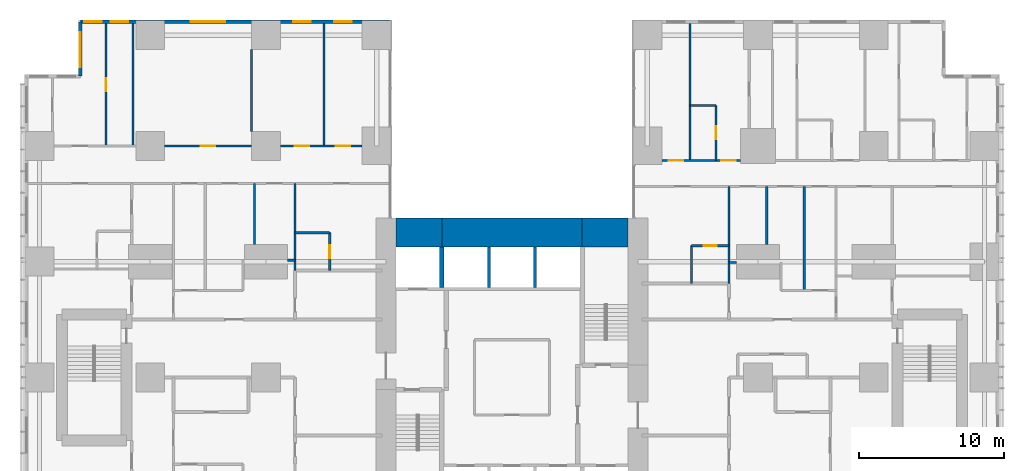
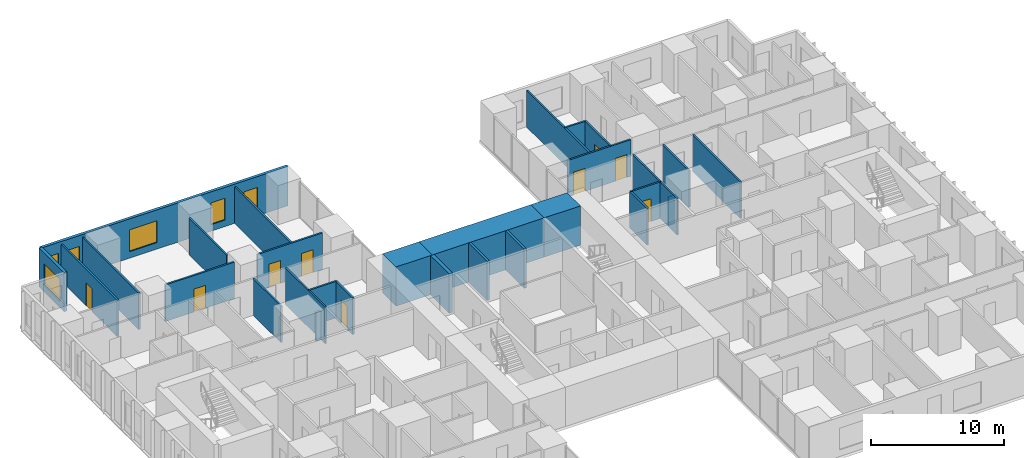
# One storey, part 17 of 20: 29 walls, 9 doors, 6 windows, 15 openings.
"""IFC4 building model written with IfcOpenShell, lengths in metres."""

from ifc_helpers import new_model, si_unit, direction, frame, frame_2d, origin, place, context, subcontext, project, spatial, rectangle, extrude, material, layer, layer_set, type_object, element, fill, save


model = new_model("IFC4")

# Units and contexts
model_context = context("Model", 3, precision=1e-05, world=origin(), true_north=direction((0.0, 1.0)))
body_context = subcontext(model_context, "Body", "Model", "MODEL_VIEW")
ifc_project = project(units=[si_unit("LENGTHUNIT", "METRE"), si_unit("AREAUNIT", "SQUARE_METRE"), si_unit("VOLUMEUNIT", "CUBIC_METRE"), si_unit("PLANEANGLEUNIT", "RADIAN"), si_unit("MASSUNIT", "GRAM", prefix="KILO")], contexts=[model_context])

# Site, building, storey
site_placement = place(None, origin())
site = spatial("IfcSite", under=ifc_project, at=site_placement, CompositionType="ELEMENT")
building_placement = place(site_placement, origin())
building = spatial("IfcBuilding", under=site, at=building_placement, Name="Cleftline Residences", CompositionType="ELEMENT")
storey_placement = place(building_placement, frame((0.0, 0.0, 62.0)))
storey = spatial("IfcBuildingStorey", under=building, at=storey_placement, Name="L15", CompositionType="ELEMENT", Elevation=62.0)

# Walls
ifc_material_1 = material(Name="Concrete B70", Category="concrete")
ifc_layer_1 = layer(ifc_material_1, 2.0)
ifc_layer_set_1 = layer_set([ifc_layer_1], Name="CORE WALL 2000")
wall_type_1 = type_object("IfcWallType", Name="CORE WALL 2000", PredefinedType="SHEAR", material=ifc_layer_set_1)
wall_1_placement = place(storey_placement, frame((25.0, 34.0, 0.0), z_axis=(0.0, 0.0, 1.0), x_axis=(1.0, 0.0, 0.0)))
element("IfcWall", 1, at=wall_1_placement, inside=storey, type_object=wall_type_1, Name="Core wall N1", PredefinedType="SHEAR", context=body_context, shape_type="SweptSolid", body=[
    extrude(rectangle(XDim=3.14990234375, YDim=2.0, at=frame_2d((1.574951171875, 0.0))), origin(), (0.0, 0.0, 1.0), 3.60009765625),
])
wall_2_placement = place(storey_placement, frame((28.14990234375, 34.0, 0.0), z_axis=(0.0, 0.0, 1.0), x_axis=(1.0, 0.0, 0.0)))
element("IfcWall", 2, at=wall_2_placement, inside=storey, type_object=wall_type_1, Name="Core wall N2", PredefinedType="SHEAR", context=body_context, shape_type="SweptSolid", body=[
    extrude(rectangle(XDim=9.7001953125, YDim=2.0, at=frame_2d((4.85009765625, 0.0))), origin(), (0.0, 0.0, 1.0), 3.60009765625),
])
wall_3_placement = place(storey_placement, frame((37.85009765625, 34.0, 0.0), z_axis=(0.0, 0.0, 1.0), x_axis=(1.0, 0.0, 0.0)))
element("IfcWall", 3, at=wall_3_placement, inside=storey, type_object=wall_type_1, Name="Core wall N3", PredefinedType="SHEAR", context=body_context, shape_type="SweptSolid", body=[
    extrude(rectangle(XDim=3.14990234375, YDim=2.0, at=frame_2d((1.574951171875, 0.0))), origin(), (0.0, 0.0, 1.0), 3.60009765625),
])
ifc_material_2 = material(Name="Concrete B70", Category="concrete")
ifc_layer_2 = layer(ifc_material_2, 0.300048828125)
ifc_layer_set_2 = layer_set([ifc_layer_2], Name="CORE WALL 300")
wall_type_2 = type_object("IfcWallType", Name="CORE WALL 300", PredefinedType="SHEAR", material=ifc_layer_set_2)
wall_4_placement = place(storey_placement, frame((28.14990234375, 30.199951171875, 0.0), z_axis=(0.0, 0.0, 1.0), x_axis=(0.0, 1.0, 0.0)))
element("IfcWall", 4, at=wall_4_placement, inside=storey, type_object=wall_type_2, Name="Lift shaft wall", PredefinedType="SHEAR", context=body_context, shape_type="SweptSolid", body=[
    extrude(rectangle(XDim=2.800048828125, YDim=0.300048828125, at=frame_2d((1.39990234375, 0.0))), origin(), (0.0, 0.0, 1.0), 3.60009765625),
])

# Wall, openings, windows
ifc_material_3 = material(Name="Rendered reinforced concrete blockwork", Category="masonry")
ifc_layer_3 = layer(ifc_material_3, 0.25)
ifc_layer_set_3 = layer_set([ifc_layer_3], Name="EXTERNAL WALL 250")
wall_type_3 = type_object("IfcWallType", Name="EXTERNAL WALL 250", PredefinedType="SOLIDWALL", material=ifc_layer_set_3)
wall_5_placement = place(storey_placement, frame((24.574951171875, 48.574951171875, 0.0), z_axis=(0.0, 0.0, 1.0), x_axis=(-1.0, 0.0, 0.0)))
wall_5 = element("IfcWall", 5, at=wall_5_placement, inside=storey, type_object=wall_type_3, Name="External wall", PredefinedType="SOLIDWALL", context=body_context, shape_type="SweptSolid", body=[
    extrude(rectangle(XDim=21.39990234375, YDim=0.25, at=frame_2d((10.699951171875, 0.0))), origin(), (0.0, 0.0, 1.0), 3.60009765625),
])
opening_1_placement = place(wall_5_placement, frame((2.64990234375, 0.0, 0.60009765625)))
opening_1 = element("IfcOpeningElement", 6, at=opening_1_placement, cuts=wall_5, Name="Opening W8", PredefinedType="OPENING", context=body_context, shape_type="SweptSolid", body=[
    extrude(rectangle(XDim=1.199951171875, YDim=2.0, at=frame_2d((0.60009765625, 1.0))), frame((0.0, 0.135009765625, 0.0), z_axis=(0.0, -1.0, 0.0), x_axis=(1.0, 0.0, 0.0)), (0.0, 0.0, 1.0), 0.27001953125),
])
opening_2_placement = place(wall_5_placement, frame((5.47509765625, 0.0, 0.60009765625)))
opening_2 = element("IfcOpeningElement", 7, at=opening_2_placement, cuts=wall_5, Name="Opening W8", PredefinedType="OPENING", context=body_context, shape_type="SweptSolid", body=[
    extrude(rectangle(XDim=1.199951171875, YDim=2.0, at=frame_2d((0.60009765625, 1.0))), frame((0.0, 0.135009765625, 0.0), z_axis=(0.0, -1.0, 0.0), x_axis=(1.0, 0.0, 0.0)), (0.0, 0.0, 1.0), 0.27001953125),
])
opening_3_placement = place(wall_5_placement, frame((11.375, 0.0, 0.60009765625)))
opening_3 = element("IfcOpeningElement", 8, at=opening_3_placement, cuts=wall_5, Name="Opening W6", PredefinedType="OPENING", context=body_context, shape_type="SweptSolid", body=[
    extrude(rectangle(XDim=2.39990234375, YDim=2.0, at=frame_2d((1.199951171875, 1.0))), frame((0.0, 0.135009765625, 0.0), z_axis=(0.0, -1.0, 0.0), x_axis=(1.0, 0.0, 0.0)), (0.0, 0.0, 1.0), 0.27001953125),
])
opening_4_placement = place(wall_5_placement, frame((18.10009765625, 0.0, 0.60009765625)))
opening_4 = element("IfcOpeningElement", 9, at=opening_4_placement, cuts=wall_5, Name="Opening W8", PredefinedType="OPENING", context=body_context, shape_type="SweptSolid", body=[
    extrude(rectangle(XDim=1.199951171875, YDim=2.0, at=frame_2d((0.60009765625, 1.0))), frame((0.0, 0.135009765625, 0.0), z_axis=(0.0, -1.0, 0.0), x_axis=(1.0, 0.0, 0.0)), (0.0, 0.0, 1.0), 0.27001953125),
])
opening_5_placement = place(wall_5_placement, frame((19.925048828125, 0.0, 0.60009765625)))
opening_5 = element("IfcOpeningElement", 10, at=opening_5_placement, cuts=wall_5, Name="Opening W8", PredefinedType="OPENING", context=body_context, shape_type="SweptSolid", body=[
    extrude(rectangle(XDim=1.199951171875, YDim=2.0, at=frame_2d((0.60009765625, 1.0))), frame((0.0, 0.135009765625, 0.0), z_axis=(0.0, -1.0, 0.0), x_axis=(1.0, 0.0, 0.0)), (0.0, 0.0, 1.0), 0.27001953125),
])
ifc_material_4 = material(Name="Aluminium frame, clear double glazing", Category="aluminium")
window_type_1 = type_object("IfcWindowType", Name="WINDOW 1200X2000", PartitioningType="DOUBLE_PANEL_VERTICAL", PredefinedType="WINDOW", material=ifc_material_4)
window_1_placement = place(opening_1_placement, origin())
window_1 = element("IfcWindow", 11, at=window_1_placement, inside=storey, type_object=window_type_1, Name="Window", OverallHeight=2.0, OverallWidth=1.199951171875, PartitioningType="SINGLE_PANEL", PredefinedType="WINDOW", context=body_context, shape_type="SweptSolid", body=[
    extrude(rectangle(XDim=1.199951171875, YDim=2.0, at=frame_2d((0.60009765625, 1.0))), frame((0.0, 0.030029296875, 0.0), z_axis=(0.0, -1.0, 0.0), x_axis=(1.0, 0.0, 0.0)), (0.0, 0.0, 1.0), 0.06005859375),
])
fill(opening_1, window_1)
window_2_placement = place(opening_2_placement, origin())
window_2 = element("IfcWindow", 12, at=window_2_placement, inside=storey, type_object=window_type_1, Name="Window", OverallHeight=2.0, OverallWidth=1.199951171875, PartitioningType="SINGLE_PANEL", PredefinedType="WINDOW", context=body_context, shape_type="SweptSolid", body=[
    extrude(rectangle(XDim=1.199951171875, YDim=2.0, at=frame_2d((0.60009765625, 1.0))), frame((0.0, 0.030029296875, 0.0), z_axis=(0.0, -1.0, 0.0), x_axis=(1.0, 0.0, 0.0)), (0.0, 0.0, 1.0), 0.06005859375),
])
fill(opening_2, window_2)
window_3_placement = place(opening_4_placement, origin())
window_3 = element("IfcWindow", 13, at=window_3_placement, inside=storey, type_object=window_type_1, Name="Window", OverallHeight=2.0, OverallWidth=1.199951171875, PartitioningType="SINGLE_PANEL", PredefinedType="WINDOW", context=body_context, shape_type="SweptSolid", body=[
    extrude(rectangle(XDim=1.199951171875, YDim=2.0, at=frame_2d((0.60009765625, 1.0))), frame((0.0, 0.030029296875, 0.0), z_axis=(0.0, -1.0, 0.0), x_axis=(1.0, 0.0, 0.0)), (0.0, 0.0, 1.0), 0.06005859375),
])
fill(opening_4, window_3)
window_4_placement = place(opening_5_placement, origin())
window_4 = element("IfcWindow", 14, at=window_4_placement, inside=storey, type_object=window_type_1, Name="Window", OverallHeight=2.0, OverallWidth=1.199951171875, PartitioningType="SINGLE_PANEL", PredefinedType="WINDOW", context=body_context, shape_type="SweptSolid", body=[
    extrude(rectangle(XDim=1.199951171875, YDim=2.0, at=frame_2d((0.60009765625, 1.0))), frame((0.0, 0.030029296875, 0.0), z_axis=(0.0, -1.0, 0.0), x_axis=(1.0, 0.0, 0.0)), (0.0, 0.0, 1.0), 0.06005859375),
])
fill(opening_5, window_4)
ifc_material_5 = material(Name="Aluminium frame, clear double glazing", Category="aluminium")
window_type_2 = type_object("IfcWindowType", Name="WINDOW 2400X2000", PartitioningType="DOUBLE_PANEL_VERTICAL", PredefinedType="WINDOW", material=ifc_material_5)
window_5_placement = place(opening_3_placement, origin())
window_5 = element("IfcWindow", 15, at=window_5_placement, inside=storey, type_object=window_type_2, Name="Window", OverallHeight=2.0, OverallWidth=2.39990234375, PartitioningType="SINGLE_PANEL", PredefinedType="WINDOW", context=body_context, shape_type="SweptSolid", body=[
    extrude(rectangle(XDim=2.39990234375, YDim=2.0, at=frame_2d((1.199951171875, 1.0))), frame((0.0, 0.030029296875, 0.0), z_axis=(0.0, -1.0, 0.0), x_axis=(1.0, 0.0, 0.0)), (0.0, 0.0, 1.0), 0.06005859375),
])
fill(opening_3, window_5)

# Wall, opening, window
wall_6_placement = place(storey_placement, frame((3.175048828125, 48.574951171875, 0.0), z_axis=(0.0, 0.0, 1.0), x_axis=(0.0, -1.0, 0.0)))
wall_6 = element("IfcWall", 16, at=wall_6_placement, inside=storey, type_object=wall_type_3, Name="External wall", PredefinedType="SOLIDWALL", context=body_context, shape_type="SweptSolid", body=[
    extrude(rectangle(XDim=3.75, YDim=0.25, at=frame_2d((1.875, 0.0))), origin(), (0.0, 0.0, 1.0), 3.60009765625),
])
opening_6_placement = place(wall_6_placement, frame((0.737548828125, 0.0, 0.60009765625)))
opening_6 = element("IfcOpeningElement", 17, at=opening_6_placement, cuts=wall_6, Name="Opening W6", PredefinedType="OPENING", context=body_context, shape_type="SweptSolid", body=[
    extrude(rectangle(XDim=2.39990234375, YDim=2.0, at=frame_2d((1.199951171875, 1.0))), frame((0.0, 0.135009765625, 0.0), z_axis=(0.0, -1.0, 0.0), x_axis=(1.0, 0.0, 0.0)), (0.0, 0.0, 1.0), 0.27001953125),
])
window_6_placement = place(opening_6_placement, origin())
window_6 = element("IfcWindow", 18, at=window_6_placement, inside=storey, type_object=window_type_2, Name="Window", OverallHeight=2.0, OverallWidth=2.39990234375, PartitioningType="SINGLE_PANEL", PredefinedType="WINDOW", context=body_context, shape_type="SweptSolid", body=[
    extrude(rectangle(XDim=2.39990234375, YDim=2.0, at=frame_2d((1.199951171875, 1.0))), frame((0.0, 0.030029296875, 0.0), z_axis=(0.0, -1.0, 0.0), x_axis=(1.0, 0.0, 0.0)), (0.0, 0.0, 1.0), 0.06005859375),
])
fill(opening_6, window_6)

# Walls
ifc_material_6 = material(Name="Gypsum board on steel studs", Category="steel")
ifc_layer_4 = layer(ifc_material_6, 0.14990234375)
ifc_layer_set_4 = layer_set([ifc_layer_4], Name="PARTITION 150")
wall_type_4 = type_object("IfcWallType", Name="PARTITION 150", PredefinedType="PARTITIONING", material=ifc_layer_set_4)
for number, where, z_axis, x_axis, name in (
    (19, (48.0, 31.949951171875, 0.0), (0.0, 0.0, 1.0), (1.0, 0.0, 0.0), "Partition"),
    (20, (17.5, 32.10009765625, 0.0), (0.0, 0.0, 1.0), (1.0, 0.0, 0.0), "Partition"),
):
    element("IfcWall", number, at=place(storey_placement, frame(where, z_axis=z_axis, x_axis=x_axis)), inside=storey, type_object=wall_type_4, Name=name, PredefinedType="PARTITIONING", context=body_context, shape_type="SweptSolid", body=[
        extrude(rectangle(XDim=0.5, YDim=0.14990234375, at=frame_2d((0.25, 0.0))), origin(), (0.0, 0.0, 1.0), 2.634033203125),
    ])

# Wall, opening, door
wall_7_placement = place(storey_placement, frame((45.39990234375, 33.10009765625, 0.0), z_axis=(0.0, 0.0, 1.0), x_axis=(1.0, 0.0, 0.0)))
wall_7 = element("IfcWall", 21, at=wall_7_placement, inside=storey, type_object=wall_type_4, Name="Partition", PredefinedType="PARTITIONING", context=body_context, shape_type="SweptSolid", body=[
    extrude(rectangle(XDim=2.60009765625, YDim=0.14990234375, at=frame_2d((1.300048828125, 0.0))), origin(), (0.0, 0.0, 1.0), 3.35009765625),
])
opening_7_placement = place(wall_7_placement, frame((0.85009765625, 0.0, 0.0)))
opening_7 = element("IfcOpeningElement", 22, at=opening_7_placement, cuts=wall_7, Name="Opening D1", PredefinedType="OPENING", context=body_context, shape_type="SweptSolid", body=[
    extrude(rectangle(XDim=0.89990234375, YDim=2.10009765625, at=frame_2d((0.449951171875, 1.050048828125))), frame((0.0, 0.0849609375, 0.0), z_axis=(0.0, -1.0, 0.0), x_axis=(1.0, 0.0, 0.0)), (0.0, 0.0, 1.0), 0.169921875),
])
ifc_material_7 = material(Name="Timber veneer on solid core", Category="wood")
door_type_1 = type_object("IfcDoorType", Name="DOOR 900X2100", OperationType="SINGLE_SWING_LEFT", PredefinedType="DOOR", material=ifc_material_7)
door_1_placement = place(opening_7_placement, origin())
door_1 = element("IfcDoor", 23, at=door_1_placement, inside=storey, type_object=door_type_1, Name="Door to master bathroom", OperationType="SINGLE_SWING_LEFT", OverallHeight=2.10009765625, OverallWidth=0.89990234375, PredefinedType="DOOR", context=body_context, shape_type="SweptSolid", body=[
    extrude(rectangle(XDim=0.89990234375, YDim=2.10009765625, at=frame_2d((0.449951171875, 1.050048828125))), frame((0.0, 0.02490234375, 0.0), z_axis=(0.0, -1.0, 0.0), x_axis=(1.0, 0.0, 0.0)), (0.0, 0.0, 1.0), 0.050048828125),
])
fill(opening_7, door_1)

# Wall
wall_8_placement = place(storey_placement, frame((18.0, 34.0, 0.0), z_axis=(0.0, 0.0, 1.0), x_axis=(1.0, 0.0, 0.0)))
element("IfcWall", 24, at=wall_8_placement, inside=storey, type_object=wall_type_4, Name="Partition", PredefinedType="PARTITIONING", context=body_context, shape_type="SweptSolid", body=[
    extrude(rectangle(XDim=2.39990234375, YDim=0.14990234375, at=frame_2d((1.199951171875, 0.0))), origin(), (0.0, 0.0, 1.0), 3.35009765625),
])

# Wall, openings, doors
wall_9_placement = place(storey_placement, frame((43.35009765625, 39.0, 0.0), z_axis=(0.0, 0.0, 1.0), x_axis=(1.0, 0.0, 0.0)))
wall_9 = element("IfcWall", 25, at=wall_9_placement, inside=storey, type_object=wall_type_4, Name="Partition", PredefinedType="PARTITIONING", context=body_context, shape_type="SweptSolid", body=[
    extrude(rectangle(XDim=5.449951171875, YDim=0.14990234375, at=frame_2d((2.72509765625, 0.0))), origin(), (0.0, 0.0, 1.0), 3.35009765625),
])
opening_8_placement = place(wall_9_placement, frame((4.10009765625, 0.0, 0.0)))
opening_8 = element("IfcOpeningElement", 26, at=opening_8_placement, cuts=wall_9, Name="Opening D2", PredefinedType="OPENING", context=body_context, shape_type="SweptSolid", body=[
    extrude(rectangle(XDim=1.0, YDim=2.10009765625, at=frame_2d((0.5, 1.050048828125))), frame((0.0, 0.0849609375, 0.0), z_axis=(0.0, -1.0, 0.0), x_axis=(1.0, 0.0, 0.0)), (0.0, 0.0, 1.0), 0.169921875),
])
opening_9_placement = place(wall_9_placement, frame((0.47509765625, 0.0, 0.0)))
opening_9 = element("IfcOpeningElement", 27, at=opening_9_placement, cuts=wall_9, Name="Opening D2", PredefinedType="OPENING", context=body_context, shape_type="SweptSolid", body=[
    extrude(rectangle(XDim=1.0, YDim=2.10009765625, at=frame_2d((0.5, 1.050048828125))), frame((0.0, 0.0849609375, 0.0), z_axis=(0.0, -1.0, 0.0), x_axis=(1.0, 0.0, 0.0)), (0.0, 0.0, 1.0), 0.169921875),
])
ifc_material_8 = material(Name="Timber veneer on solid core", Category="wood")
door_type_2 = type_object("IfcDoorType", Name="DOOR 1000X2100", OperationType="SINGLE_SWING_LEFT", PredefinedType="DOOR", material=ifc_material_8)
door_2_placement = place(opening_8_placement, origin())
door_2 = element("IfcDoor", 28, at=door_2_placement, inside=storey, type_object=door_type_2, Name="Door to bedroom 4", OperationType="SINGLE_SWING_LEFT", OverallHeight=2.10009765625, OverallWidth=1.0, PredefinedType="DOOR", context=body_context, shape_type="SweptSolid", body=[
    extrude(rectangle(XDim=1.0, YDim=2.10009765625, at=frame_2d((0.5, 1.050048828125))), frame((0.0, 0.02490234375, 0.0), z_axis=(0.0, -1.0, 0.0), x_axis=(1.0, 0.0, 0.0)), (0.0, 0.0, 1.0), 0.050048828125),
])
fill(opening_8, door_2)
door_3_placement = place(opening_9_placement, origin())
door_3 = element("IfcDoor", 29, at=door_3_placement, inside=storey, type_object=door_type_2, Name="Door to family room", OperationType="SINGLE_SWING_RIGHT", OverallHeight=2.10009765625, OverallWidth=1.0, PredefinedType="DOOR", context=body_context, shape_type="SweptSolid", body=[
    extrude(rectangle(XDim=1.0, YDim=2.10009765625, at=frame_2d((0.5, 1.050048828125))), frame((0.0, 0.02490234375, 0.0), z_axis=(0.0, -1.0, 0.0), x_axis=(1.0, 0.0, 0.0)), (0.0, 0.0, 1.0), 0.050048828125),
])
fill(opening_9, door_3)

# Wall, opening, door
wall_10_placement = place(storey_placement, frame((9.0, 40.0, 0.0), z_axis=(0.0, 0.0, 1.0), x_axis=(1.0, 0.0, 0.0)))
wall_10 = element("IfcWall", 30, at=wall_10_placement, inside=storey, type_object=wall_type_4, Name="Partition", PredefinedType="PARTITIONING", context=body_context, shape_type="SweptSolid", body=[
    extrude(rectangle(XDim=6.0, YDim=0.14990234375, at=frame_2d((3.0, 0.0))), origin(), (0.0, 0.0, 1.0), 3.35009765625),
])
opening_10_placement = place(wall_10_placement, frame((2.5, 0.0, 0.0)))
opening_10 = element("IfcOpeningElement", 31, at=opening_10_placement, cuts=wall_10, Name="Opening D2", PredefinedType="OPENING", context=body_context, shape_type="SweptSolid", body=[
    extrude(rectangle(XDim=1.0, YDim=2.10009765625, at=frame_2d((0.5, 1.050048828125))), frame((0.0, 0.0849609375, 0.0), z_axis=(0.0, -1.0, 0.0), x_axis=(1.0, 0.0, 0.0)), (0.0, 0.0, 1.0), 0.169921875),
])
door_4_placement = place(opening_10_placement, origin())
door_4 = element("IfcDoor", 32, at=door_4_placement, inside=storey, type_object=door_type_2, Name="Door to living room", OperationType="SINGLE_SWING_LEFT", OverallHeight=2.10009765625, OverallWidth=1.0, PredefinedType="DOOR", context=body_context, shape_type="SweptSolid", body=[
    extrude(rectangle(XDim=1.0, YDim=2.10009765625, at=frame_2d((0.5, 1.050048828125))), frame((0.0, 0.02490234375, 0.0), z_axis=(0.0, -1.0, 0.0), x_axis=(1.0, 0.0, 0.0)), (0.0, 0.0, 1.0), 0.050048828125),
])
fill(opening_10, door_4)

# Wall, openings, doors
wall_11_placement = place(storey_placement, frame((17.0, 40.0, 0.0), z_axis=(0.0, 0.0, 1.0), x_axis=(1.0, 0.0, 0.0)))
wall_11 = element("IfcWall", 33, at=wall_11_placement, inside=storey, type_object=wall_type_4, Name="Partition", PredefinedType="PARTITIONING", context=body_context, shape_type="SweptSolid", body=[
    extrude(rectangle(XDim=5.64990234375, YDim=0.14990234375, at=frame_2d((2.824951171875, 0.0))), origin(), (0.0, 0.0, 1.0), 3.35009765625),
])
opening_11_placement = place(wall_11_placement, frame((1.0, 0.0, 0.0)))
opening_11 = element("IfcOpeningElement", 34, at=opening_11_placement, cuts=wall_11, Name="Opening D2", PredefinedType="OPENING", context=body_context, shape_type="SweptSolid", body=[
    extrude(rectangle(XDim=1.0, YDim=2.10009765625, at=frame_2d((0.5, 1.050048828125))), frame((0.0, 0.0849609375, 0.0), z_axis=(0.0, -1.0, 0.0), x_axis=(1.0, 0.0, 0.0)), (0.0, 0.0, 1.0), 0.169921875),
])
opening_12_placement = place(wall_11_placement, frame((3.824951171875, 0.0, 0.0)))
opening_12 = element("IfcOpeningElement", 35, at=opening_12_placement, cuts=wall_11, Name="Opening D2", PredefinedType="OPENING", context=body_context, shape_type="SweptSolid", body=[
    extrude(rectangle(XDim=1.0, YDim=2.10009765625, at=frame_2d((0.5, 1.050048828125))), frame((0.0, 0.0849609375, 0.0), z_axis=(0.0, -1.0, 0.0), x_axis=(1.0, 0.0, 0.0)), (0.0, 0.0, 1.0), 0.169921875),
])
door_5_placement = place(opening_11_placement, origin())
door_5 = element("IfcDoor", 36, at=door_5_placement, inside=storey, type_object=door_type_2, Name="Door to dining room", OperationType="SINGLE_SWING_RIGHT", OverallHeight=2.10009765625, OverallWidth=1.0, PredefinedType="DOOR", context=body_context, shape_type="SweptSolid", body=[
    extrude(rectangle(XDim=1.0, YDim=2.10009765625, at=frame_2d((0.5, 1.050048828125))), frame((0.0, 0.02490234375, 0.0), z_axis=(0.0, -1.0, 0.0), x_axis=(1.0, 0.0, 0.0)), (0.0, 0.0, 1.0), 0.050048828125),
])
fill(opening_11, door_5)
door_6_placement = place(opening_12_placement, origin())
door_6 = element("IfcDoor", 37, at=door_6_placement, inside=storey, type_object=door_type_2, Name="Door to show kitchen", OperationType="SINGLE_SWING_LEFT", OverallHeight=2.10009765625, OverallWidth=1.0, PredefinedType="DOOR", context=body_context, shape_type="SweptSolid", body=[
    extrude(rectangle(XDim=1.0, YDim=2.10009765625, at=frame_2d((0.5, 1.050048828125))), frame((0.0, 0.02490234375, 0.0), z_axis=(0.0, -1.0, 0.0), x_axis=(1.0, 0.0, 0.0)), (0.0, 0.0, 1.0), 0.050048828125),
])
fill(opening_12, door_6)

# Wall
wall_12_placement = place(storey_placement, frame((45.300048828125, 42.800048828125, 0.0), z_axis=(0.0, 0.0, 1.0), x_axis=(1.0, 0.0, 0.0)))
element("IfcWall", 38, at=wall_12_placement, inside=storey, type_object=wall_type_4, Name="Partition", PredefinedType="PARTITIONING", context=body_context, shape_type="SweptSolid", body=[
    extrude(rectangle(XDim=1.800048828125, YDim=0.14990234375, at=frame_2d((0.89990234375, 0.0))), origin(), (0.0, 0.0, 1.0), 3.35009765625),
])

# Wall, opening, door
wall_13_placement = place(storey_placement, frame((4.949951171875, 40.0, 0.0), z_axis=(0.0, 0.0, 1.0), x_axis=(0.0, 1.0, 0.0)))
wall_13 = element("IfcWall", 39, at=wall_13_placement, inside=storey, type_object=wall_type_4, Name="Partition", PredefinedType="PARTITIONING", context=body_context, shape_type="SweptSolid", body=[
    extrude(rectangle(XDim=8.449951171875, YDim=0.14990234375, at=frame_2d((4.22509765625, 0.0))), origin(), (0.0, 0.0, 1.0), 3.35009765625),
])
opening_13_placement = place(wall_13_placement, frame((3.77490234375, 0.0, 0.0)))
opening_13 = element("IfcOpeningElement", 40, at=opening_13_placement, cuts=wall_13, Name="Opening D1", PredefinedType="OPENING", context=body_context, shape_type="SweptSolid", body=[
    extrude(rectangle(XDim=0.89990234375, YDim=2.10009765625, at=frame_2d((0.449951171875, 1.050048828125))), frame((0.0, 0.0849609375, 0.0), z_axis=(0.0, -1.0, 0.0), x_axis=(1.0, 0.0, 0.0)), (0.0, 0.0, 1.0), 0.169921875),
])
door_7_placement = place(opening_13_placement, origin())
door_7 = element("IfcDoor", 41, at=door_7_placement, inside=storey, type_object=door_type_1, Name="Door to en-suite bathroom 2", OperationType="SINGLE_SWING_LEFT", OverallHeight=2.10009765625, OverallWidth=0.89990234375, PredefinedType="DOOR", context=body_context, shape_type="SweptSolid", body=[
    extrude(rectangle(XDim=0.89990234375, YDim=2.10009765625, at=frame_2d((0.449951171875, 1.050048828125))), frame((0.0, 0.02490234375, 0.0), z_axis=(0.0, -1.0, 0.0), x_axis=(1.0, 0.0, 0.0)), (0.0, 0.0, 1.0), 0.050048828125),
])
fill(opening_13, door_7)

# Walls
wall_14_placement = place(storey_placement, frame((6.800048828125, 40.0, 0.0), z_axis=(0.0, 0.0, 1.0), x_axis=(0.0, 1.0, 0.0)))
element("IfcWall", 42, at=wall_14_placement, inside=storey, type_object=wall_type_4, Name="Partition", PredefinedType="PARTITIONING", context=body_context, shape_type="SweptSolid", body=[
    extrude(rectangle(XDim=8.449951171875, YDim=0.14990234375, at=frame_2d((4.22509765625, 0.0))), origin(), (0.0, 0.0, 1.0), 3.35009765625),
])
wall_15_placement = place(storey_placement, frame((15.0, 41.0, 0.0), z_axis=(0.0, 0.0, 1.0), x_axis=(0.0, 1.0, 0.0)))
element("IfcWall", 43, at=wall_15_placement, inside=storey, type_object=wall_type_4, Name="Partition", PredefinedType="PARTITIONING", context=body_context, shape_type="SweptSolid", body=[
    extrude(rectangle(XDim=5.64990234375, YDim=0.14990234375, at=frame_2d((2.824951171875, 0.0))), origin(), (0.0, 0.0, 1.0), 3.35009765625),
])
wall_16_placement = place(storey_placement, frame((15.199951171875, 33.199951171875, 0.0), z_axis=(0.0, 0.0, 1.0), x_axis=(0.0, 1.0, 0.0)))
element("IfcWall", 44, at=wall_16_placement, inside=storey, type_object=wall_type_4, Name="Partition", PredefinedType="PARTITIONING", context=body_context, shape_type="SweptSolid", body=[
    extrude(rectangle(XDim=4.199951171875, YDim=0.14990234375, at=frame_2d((2.10009765625, 0.0))), origin(), (0.0, 0.0, 1.0), 3.35009765625),
])
wall_17_placement = place(storey_placement, frame((18.0, 31.39990234375, 0.0), z_axis=(0.0, 0.0, 1.0), x_axis=(0.0, 1.0, 0.0)))
element("IfcWall", 45, at=wall_17_placement, inside=storey, type_object=wall_type_4, Name="Partition", PredefinedType="PARTITIONING", context=body_context, shape_type="SweptSolid", body=[
    extrude(rectangle(XDim=6.0, YDim=0.14990234375, at=frame_2d((3.0, 0.0))), origin(), (0.0, 0.0, 1.0), 3.35009765625),
])
wall_18_placement = place(storey_placement, frame((20.0, 40.0, 0.0), z_axis=(0.0, 0.0, 1.0), x_axis=(0.0, 1.0, 0.0)))
element("IfcWall", 46, at=wall_18_placement, inside=storey, type_object=wall_type_4, Name="Partition", PredefinedType="PARTITIONING", context=body_context, shape_type="SweptSolid", body=[
    extrude(rectangle(XDim=8.449951171875, YDim=0.14990234375, at=frame_2d((4.22509765625, 0.0))), origin(), (0.0, 0.0, 1.0), 3.35009765625),
])

# Wall, opening, door
wall_19_placement = place(storey_placement, frame((20.39990234375, 31.39990234375, 0.0), z_axis=(0.0, 0.0, 1.0), x_axis=(0.0, 1.0, 0.0)))
wall_19 = element("IfcWall", 47, at=wall_19_placement, inside=storey, type_object=wall_type_4, Name="Partition", PredefinedType="PARTITIONING", context=body_context, shape_type="SweptSolid", body=[
    extrude(rectangle(XDim=2.60009765625, YDim=0.14990234375, at=frame_2d((1.300048828125, 0.0))), origin(), (0.0, 0.0, 1.0), 3.35009765625),
])
opening_14_placement = place(wall_19_placement, frame((0.85009765625, 0.0, 0.0)))
opening_14 = element("IfcOpeningElement", 48, at=opening_14_placement, cuts=wall_19, Name="Opening D1", PredefinedType="OPENING", context=body_context, shape_type="SweptSolid", body=[
    extrude(rectangle(XDim=0.89990234375, YDim=2.10009765625, at=frame_2d((0.449951171875, 1.050048828125))), frame((0.0, 0.0849609375, 0.0), z_axis=(0.0, -1.0, 0.0), x_axis=(1.0, 0.0, 0.0)), (0.0, 0.0, 1.0), 0.169921875),
])
door_8_placement = place(opening_14_placement, origin())
door_8 = element("IfcDoor", 49, at=door_8_placement, inside=storey, type_object=door_type_1, Name="Door to en-suite bathroom 3", OperationType="SINGLE_SWING_LEFT", OverallHeight=2.10009765625, OverallWidth=0.89990234375, PredefinedType="DOOR", context=body_context, shape_type="SweptSolid", body=[
    extrude(rectangle(XDim=0.89990234375, YDim=2.10009765625, at=frame_2d((0.449951171875, 1.050048828125))), frame((0.0, 0.02490234375, 0.0), z_axis=(0.0, -1.0, 0.0), x_axis=(1.0, 0.0, 0.0)), (0.0, 0.0, 1.0), 0.050048828125),
])
fill(opening_14, door_8)

# Walls
wall_20_placement = place(storey_placement, frame((45.300048828125, 39.0, 0.0), z_axis=(0.0, 0.0, 1.0), x_axis=(0.0, 1.0, 0.0)))
element("IfcWall", 50, at=wall_20_placement, inside=storey, type_object=wall_type_4, Name="Partition", PredefinedType="PARTITIONING", context=body_context, shape_type="SweptSolid", body=[
    extrude(rectangle(XDim=9.449951171875, YDim=0.14990234375, at=frame_2d((4.72509765625, 0.0))), origin(), (0.0, 0.0, 1.0), 3.35009765625),
])
wall_21_placement = place(storey_placement, frame((45.39990234375, 30.5, 0.0), z_axis=(0.0, 0.0, 1.0), x_axis=(0.0, 1.0, 0.0)))
element("IfcWall", 51, at=wall_21_placement, inside=storey, type_object=wall_type_4, Name="Partition", PredefinedType="PARTITIONING", context=body_context, shape_type="SweptSolid", body=[
    extrude(rectangle(XDim=2.60009765625, YDim=0.14990234375, at=frame_2d((1.300048828125, 0.0))), origin(), (0.0, 0.0, 1.0), 3.35009765625),
])

# Wall, opening, door
wall_22_placement = place(storey_placement, frame((47.10009765625, 39.0, 0.0), z_axis=(0.0, 0.0, 1.0), x_axis=(0.0, 1.0, 0.0)))
wall_22 = element("IfcWall", 52, at=wall_22_placement, inside=storey, type_object=wall_type_4, Name="Partition", PredefinedType="PARTITIONING", context=body_context, shape_type="SweptSolid", body=[
    extrude(rectangle(XDim=3.800048828125, YDim=0.14990234375, at=frame_2d((1.89990234375, 0.0))), origin(), (0.0, 0.0, 1.0), 3.35009765625),
])
opening_15_placement = place(wall_22_placement, frame((1.449951171875, 0.0, 0.0)))
opening_15 = element("IfcOpeningElement", 53, at=opening_15_placement, cuts=wall_22, Name="Opening D1", PredefinedType="OPENING", context=body_context, shape_type="SweptSolid", body=[
    extrude(rectangle(XDim=0.89990234375, YDim=2.10009765625, at=frame_2d((0.449951171875, 1.050048828125))), frame((0.0, 0.0849609375, 0.0), z_axis=(0.0, -1.0, 0.0), x_axis=(1.0, 0.0, 0.0)), (0.0, 0.0, 1.0), 0.169921875),
])
door_9_placement = place(opening_15_placement, origin())
door_9 = element("IfcDoor", 54, at=door_9_placement, inside=storey, type_object=door_type_1, Name="Door to en-suite bathroom 4", OperationType="SINGLE_SWING_LEFT", OverallHeight=2.10009765625, OverallWidth=0.89990234375, PredefinedType="DOOR", context=body_context, shape_type="SweptSolid", body=[
    extrude(rectangle(XDim=0.89990234375, YDim=2.10009765625, at=frame_2d((0.449951171875, 1.050048828125))), frame((0.0, 0.02490234375, 0.0), z_axis=(0.0, -1.0, 0.0), x_axis=(1.0, 0.0, 0.0)), (0.0, 0.0, 1.0), 0.050048828125),
])
fill(opening_15, door_9)

# Walls
wall_23_placement = place(storey_placement, frame((48.0, 30.5, 0.0), z_axis=(0.0, 0.0, 1.0), x_axis=(0.0, 1.0, 0.0)))
element("IfcWall", 55, at=wall_23_placement, inside=storey, type_object=wall_type_4, Name="Partition", PredefinedType="PARTITIONING", context=body_context, shape_type="SweptSolid", body=[
    extrude(rectangle(XDim=6.699951171875, YDim=0.14990234375, at=frame_2d((3.35009765625, 0.0))), origin(), (0.0, 0.0, 1.0), 3.35009765625),
])
wall_24_placement = place(storey_placement, frame((50.60009765625, 33.199951171875, 0.0), z_axis=(0.0, 0.0, 1.0), x_axis=(0.0, 1.0, 0.0)))
element("IfcWall", 56, at=wall_24_placement, inside=storey, type_object=wall_type_4, Name="Partition", PredefinedType="PARTITIONING", context=body_context, shape_type="SweptSolid", body=[
    extrude(rectangle(XDim=4.0, YDim=0.14990234375, at=frame_2d((2.0, 0.0))), origin(), (0.0, 0.0, 1.0), 3.35009765625),
])
wall_25_placement = place(storey_placement, frame((53.199951171875, 30.0, 0.0), z_axis=(0.0, 0.0, 1.0), x_axis=(0.0, 1.0, 0.0)))
element("IfcWall", 57, at=wall_25_placement, inside=storey, type_object=wall_type_4, Name="Partition", PredefinedType="PARTITIONING", context=body_context, shape_type="SweptSolid", body=[
    extrude(rectangle(XDim=7.199951171875, YDim=0.14990234375, at=frame_2d((3.60009765625, 0.0))), origin(), (0.0, 0.0, 1.0), 3.35009765625),
])
ifc_material_9 = material(Name="Concrete blockwork, fire rated", Category="masonry")
ifc_layer_5 = layer(ifc_material_9, 0.199951171875)
ifc_layer_set_5 = layer_set([ifc_layer_5], Name="SHAFT WALL 200")
wall_type_5 = type_object("IfcWallType", Name="SHAFT WALL 200", PredefinedType="PARTITIONING", material=ifc_layer_set_5)
for number, where, z_axis, x_axis, name in (
    (58, (31.39990234375, 30.199951171875, 0.0), (0.0, 0.0, 1.0), (0.0, 1.0, 0.0), "Lift shaft wall"),
    (59, (34.60009765625, 30.199951171875, 0.0), (0.0, 0.0, 1.0), (0.0, 1.0, 0.0), "Lift shaft wall"),
):
    element("IfcWall", number, at=place(storey_placement, frame(where, z_axis=z_axis, x_axis=x_axis)), inside=storey, type_object=wall_type_5, Name=name, PredefinedType="PARTITIONING", context=body_context, shape_type="SweptSolid", body=[
        extrude(rectangle(XDim=2.800048828125, YDim=0.199951171875, at=frame_2d((1.39990234375, 0.0))), origin(), (0.0, 0.0, 1.0), 3.60009765625),
    ])

save(model, "model.ifc")
